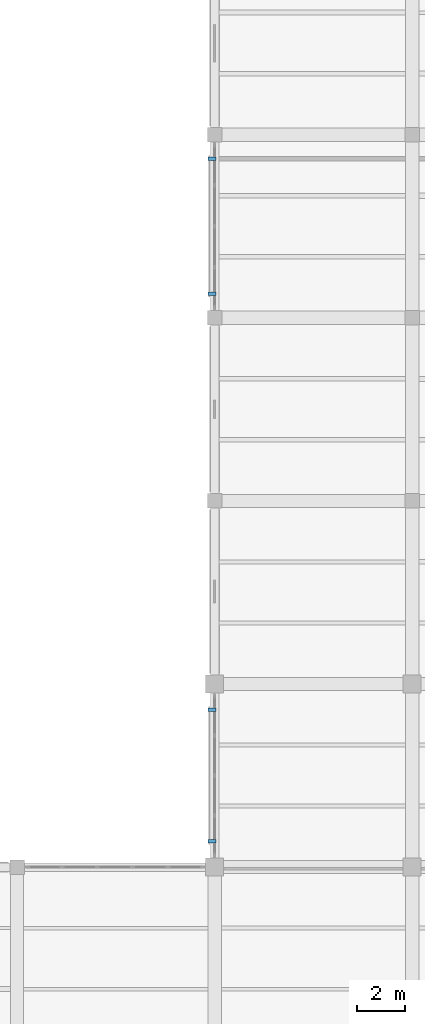
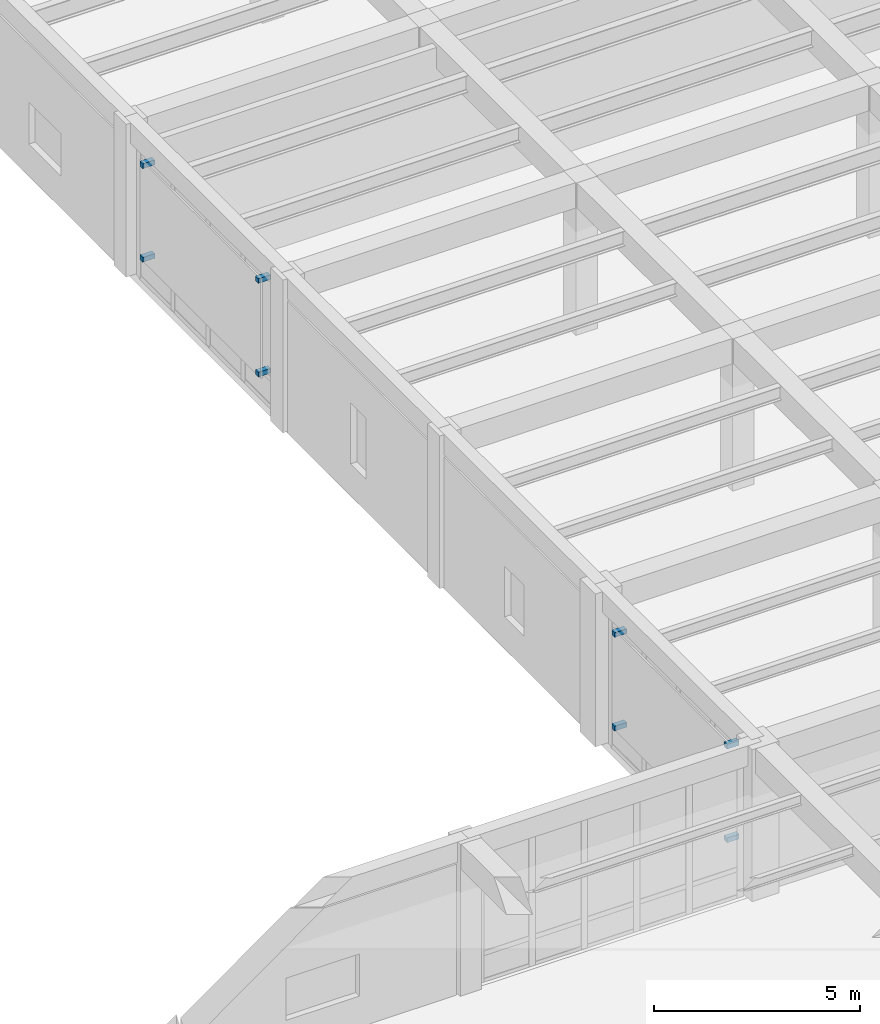
# One storey, part 46 of 57: 8 discrete accessories.
"""IFC4 building model written with IfcOpenShell, lengths in metres."""

import ifcopenshell
import ifcopenshell.guid

model = None  # the IFC model being written
_history = None  # IfcOwnerHistory: only IFC2X3 demands one
_inside = {}  # id of a spatial element -> (the spatial element, [elements in it])
_under = {}  # id of a project, library or spatial element -> (it, [spatial elements below it])
_declared = {}  # id of a project -> (the project, [libraries it declares])
_typed = {}  # id of a type object -> (the type object, [elements of that type])
_made_of = {}  # id of a material, layer set ... -> (it, [elements and type objects made of it])


def new_model(schema):
    """Start an empty IFC model of exactly this schema.

    Asked for "IFC4X3", IfcOpenShell would pick the latest addendum, in which some entities
    have other attributes; the version numbers below select the first issue.
    IFC2X3 requires an IfcOwnerHistory on every rooted entity: one is made here for all.
    """
    global model, _history
    if schema == "IFC4X3":
        model = ifcopenshell.file(schema_version=(4, 3, 0, 0))
    else:
        model = ifcopenshell.file(schema=schema)
    _inside.clear()
    _under.clear()
    _declared.clear()
    _typed.clear()
    _made_of.clear()
    _history = None
    if model.schema == "IFC2X3":
        org = make("IfcOrganization", Name="unknown")
        user = make(
            "IfcPersonAndOrganization",
            ThePerson=make("IfcPerson", FamilyName="unknown"),
            TheOrganization=org,
        )
        app = make(
            "IfcApplication",
            ApplicationDeveloper=org,
            Version="unknown",
            ApplicationFullName="unknown",
            ApplicationIdentifier="unknown",
        )
        _history = make(
            "IfcOwnerHistory",
            OwningUser=user,
            OwningApplication=app,
            ChangeAction="ADDED",
            CreationDate=0,
        )
    return model


def make(cls, **values):
    """One entity of the class cls with the attributes given. An attribute that is None is left unset."""
    return model.create_entity(
        cls, **{name: value for name, value in values.items() if value is not None}
    )


def rooted(cls, **values):
    """An entity with a GlobalId (a new one), such as an element, a storey or a relation."""
    return make(cls, GlobalId=ifcopenshell.guid.new(), OwnerHistory=_history, **values)


def si_unit(unit_type, name, prefix=None):
    """IfcSIUnit, for example si_unit("LENGTHUNIT", "METRE", prefix="MILLI")."""
    return make("IfcSIUnit", UnitType=unit_type, Prefix=prefix, Name=name)


def assignment(units):
    """IfcUnitAssignment: the units of a project."""
    return None if units is None else make("IfcUnitAssignment", Units=units)


def point(xyz):
    """IfcCartesianPoint."""
    return None if xyz is None else make("IfcCartesianPoint", Coordinates=xyz)


def direction(xyz):
    """IfcDirection."""
    return None if xyz is None else make("IfcDirection", DirectionRatios=xyz)


def frame(location, z_axis=None, x_axis=None):
    """IfcAxis2Placement3D, a coordinate frame: its origin and axes. An axis left out is left unset."""
    return make(
        "IfcAxis2Placement3D",
        Location=point(location),
        Axis=direction(z_axis),
        RefDirection=direction(x_axis),
    )


def frame_2d(location, x_axis=None):
    """IfcAxis2Placement2D, a coordinate frame in the plane: its origin and x axis."""
    return make(
        "IfcAxis2Placement2D", Location=point(location), RefDirection=direction(x_axis)
    )


def origin():
    """The frame at (0, 0, 0) with its axes left unset."""
    return frame((0.0, 0.0, 0.0))


def origin_2d():
    """The frame at (0, 0) in the plane with its x axis left unset."""
    return frame_2d((0.0, 0.0))


def place(relative_to, where):
    """IfcLocalPlacement: puts the frame where relative to a parent placement (None: the world)."""
    return make(
        "IfcLocalPlacement", PlacementRelTo=relative_to, RelativePlacement=where
    )


def context(
    kind, dimensions, precision=None, world=None, true_north=None, identifier=None
):
    """IfcGeometricRepresentationContext, for example the 3D "Model" context."""
    return make(
        "IfcGeometricRepresentationContext",
        ContextIdentifier=identifier,
        ContextType=kind,
        CoordinateSpaceDimension=dimensions,
        Precision=precision,
        WorldCoordinateSystem=world,
        TrueNorth=true_north,
    )


def subcontext(parent, identifier, kind, view, scale=None):
    """IfcGeometricRepresentationSubContext, for example "Body" below "Model"."""
    return make(
        "IfcGeometricRepresentationSubContext",
        ContextIdentifier=identifier,
        ContextType=kind,
        ParentContext=parent,
        TargetScale=scale,
        TargetView=view,
    )


def project(units=None, contexts=None):
    """IfcProject with its units and contexts."""
    return rooted(
        "IfcProject",
        Name="project",
        RepresentationContexts=contexts,
        UnitsInContext=assignment(units),
    )


def spatial(cls, under=None, at=None, **own):
    """A site, building, storey or space (cls), placed at a placement, below another one or the project."""
    s = rooted(cls, ObjectPlacement=at, **own)
    if under is not None:
        _under.setdefault(under.id(), (under, []))[1].append(s)
    return s


def profile(cls, at=None, kind="AREA", **sizes):
    """A parametric profile (cls). Its sizes go by their IFC names, for example OverallWidth=200.0."""
    return make(cls, ProfileType=kind, Position=at, **sizes)


def rectangle(**sizes):
    """IfcRectangleProfileDef."""
    return profile("IfcRectangleProfileDef", **sizes)


def extrude(swept, where, along, depth):
    """IfcExtrudedAreaSolid: the profile swept, set in the frame where, extruded along a direction by depth."""
    return make(
        "IfcExtrudedAreaSolid",
        SweptArea=swept,
        Position=where,
        ExtrudedDirection=direction(along),
        Depth=depth,
    )


def shape(context_of_items, identifier, shape_type, items):
    """IfcShapeRepresentation: the items that make up one representation, for example the "Body"."""
    return make(
        "IfcShapeRepresentation",
        ContextOfItems=context_of_items,
        RepresentationIdentifier=identifier,
        RepresentationType=shape_type,
        Items=items,
    )


def material(Name=None, Category=None):
    """IfcMaterial."""
    return make("IfcMaterial", Name=Name, Category=Category)


def made_of(thing, what):
    """Note that an element or type object is made of a material, layer set ...; save() writes the relation."""
    if what is not None:
        _made_of.setdefault(what.id(), (what, []))[1].append(thing)
    return thing


def type_object(cls, material=None, **own):
    """A type object (cls), such as IfcWallType, which elements share."""
    return made_of(rooted(cls, **own), material)


def element(
    cls,
    number,
    at=None,
    inside=None,
    cuts=None,
    type_object=None,
    material=None,
    context=None,
    identifier="Body",
    shape_type=None,
    held_by="IfcProductDefinitionShape",
    body=None,
    shapes=None,
    **own,
):
    """One element of the class cls, such as IfcWall. Its Tag is "e" and its number.

    at: its placement. inside: the storey or other place that contains it. cuts: it is an
    opening in that element (IfcRelVoidsElement). A single representation is given by context,
    identifier, shape_type and body (its items); several are given by shapes. held_by: the class
    of the entity that holds the representations. save() writes the other relations.
    """
    e = rooted(cls, Tag="e%d" % number, ObjectPlacement=at, **own)
    if body is not None:
        shapes = [shape(context, identifier, shape_type, body)]
    if shapes is not None:
        e.Representation = make(held_by, Representations=shapes)
    if inside is not None:
        _inside.setdefault(inside.id(), (inside, []))[1].append(e)
    if cuts is not None:
        rooted(
            "IfcRelVoidsElement", RelatingBuildingElement=cuts, RelatedOpeningElement=e
        )
    if type_object is not None:
        _typed.setdefault(type_object.id(), (type_object, []))[1].append(e)
    return made_of(e, material)


def aggregate(whole, parts):
    """IfcRelAggregates: a whole, such as a stair, and the parts it consists of."""
    return rooted("IfcRelAggregates", RelatingObject=whole, RelatedObjects=parts)


def save(model, path):
    """Write the relations noted so far, then the file.

    IfcRelAggregates (storeys below a building ...), IfcRelContainedInSpatialStructure (elements
    in a storey), IfcRelDefinesByType, IfcRelAssociatesMaterial and IfcRelDeclares: one each for
    every whole, place, type object, material and project.
    """
    for whole, parts in _under.values():
        aggregate(whole, parts)
    for where, things in _inside.values():
        rooted(
            "IfcRelContainedInSpatialStructure",
            RelatedElements=things,
            RelatingStructure=where,
        )
    for kind, things in _typed.values():
        rooted("IfcRelDefinesByType", RelatedObjects=things, RelatingType=kind)
    for what, things in _made_of.values():
        rooted("IfcRelAssociatesMaterial", RelatedObjects=things, RelatingMaterial=what)
    for by, libraries in _declared.values():
        rooted("IfcRelDeclares", RelatingContext=by, RelatedDefinitions=libraries)
    model.write(path)


model = new_model("IFC4")

# Units and contexts
model_context = context("Model", 3, precision=1e-05, world=origin(), true_north=direction((0.0, 1.0)))
body_context = subcontext(model_context, "Body", "Model", "MODEL_VIEW")
ifc_project = project(units=[si_unit("LENGTHUNIT", "METRE"), si_unit("AREAUNIT", "SQUARE_METRE"), si_unit("VOLUMEUNIT", "CUBIC_METRE"), si_unit("PLANEANGLEUNIT", "RADIAN"), si_unit("MASSUNIT", "GRAM", prefix="KILO")], contexts=[model_context])

# Site, building, storey
site_placement = place(None, origin())
site = spatial("IfcSite", under=ifc_project, at=site_placement, CompositionType="ELEMENT")
building_placement = place(site_placement, origin())
building = spatial("IfcBuilding", under=site, at=building_placement, Name="Qandaris Square Conservatory and Botanical Centre", CompositionType="ELEMENT")
storey_placement = place(building_placement, frame((0.0, 0.0, 5.39990234375)))
storey = spatial("IfcBuildingStorey", under=building, at=storey_placement, Name="L01", CompositionType="ELEMENT", Elevation=5.39990234375)

# Discrete accessories
ifc_material = material(Name="Steel S355", Category="steel")
discrete_accessory_type = type_object("IfcDiscreteAccessoryType", Name="Mashrabiya Support Outrigger Bracket", PredefinedType="BRACKET", material=ifc_material)
for number, where, z_axis, x_axis, name in (
    (1, (114.489990234375, 68.800048828125, 0.900390625), (0.0, 0.0, 1.0), (0.0, -1.0, 0.0), "Mashrabiya Bracket CW-TWR-L01-4-6-BRK-6-64"),
    (2, (114.489990234375, 68.800048828125, 3.669921875), (0.0, 0.0, 1.0), (0.0, -1.0, 0.0), "Mashrabiya Bracket CW-TWR-L01-4-6-BRK-6-91"),
    (3, (114.489990234375, 63.199951171875, 0.900390625), (0.0, 0.0, 1.0), (0.0, -1.0, 0.0), "Mashrabiya Bracket CW-TWR-L01-4-6-BRK-62-64"),
    (4, (114.489990234375, 63.199951171875, 3.669921875), (0.0, 0.0, 1.0), (0.0, -1.0, 0.0), "Mashrabiya Bracket CW-TWR-L01-4-6-BRK-62-91"),
    (5, (114.489990234375, 45.925048828125, 0.900390625), (0.0, 0.0, 1.0), (0.0, -1.0, 0.0), "Mashrabiya Bracket CW-TWR-L01-4-9-BRK-6-64"),
    (6, (114.489990234375, 45.925048828125, 3.669921875), (0.0, 0.0, 1.0), (0.0, -1.0, 0.0), "Mashrabiya Bracket CW-TWR-L01-4-9-BRK-6-91"),
    (7, (114.489990234375, 40.47509765625, 0.900390625), (0.0, 0.0, 1.0), (0.0, -1.0, 0.0), "Mashrabiya Bracket CW-TWR-L01-4-9-BRK-60-64"),
    (8, (114.489990234375, 40.47509765625, 3.669921875), (0.0, 0.0, 1.0), (0.0, -1.0, 0.0), "Mashrabiya Bracket CW-TWR-L01-4-9-BRK-60-91"),
):
    element("IfcDiscreteAccessory", number, at=place(storey_placement, frame(where, z_axis=z_axis, x_axis=x_axis)), inside=storey, type_object=discrete_accessory_type, Name=name, PredefinedType="BRACKET", context=body_context, shape_type="SweptSolid", body=[
        extrude(rectangle(XDim=0.139892578125, YDim=0.340087890625, at=origin_2d()), origin(), (0.0, 0.0, 1.0), 0.139892578125),
    ])

save(model, "model.ifc")
